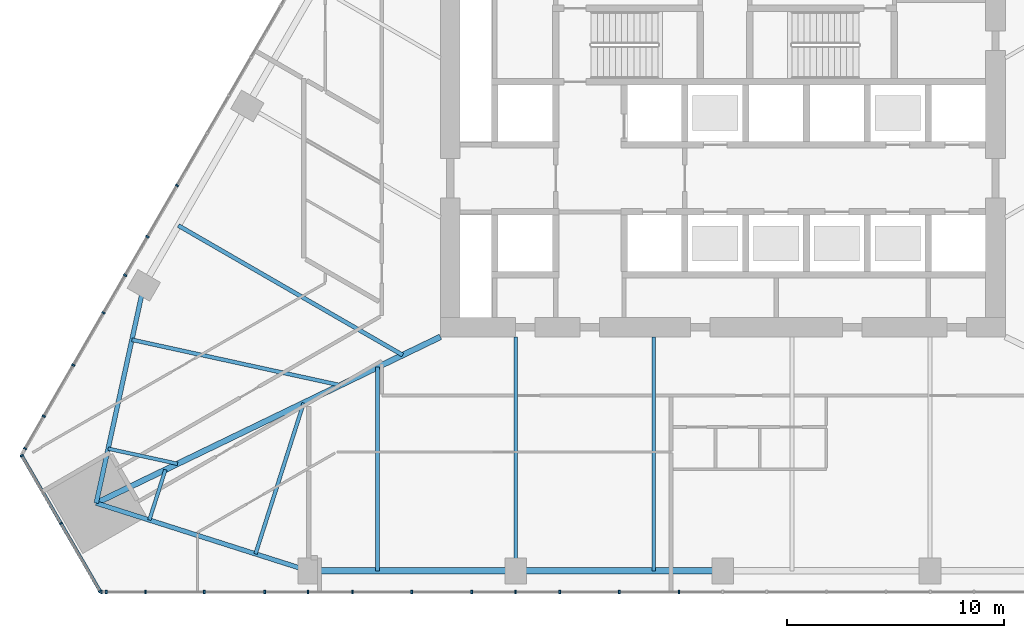
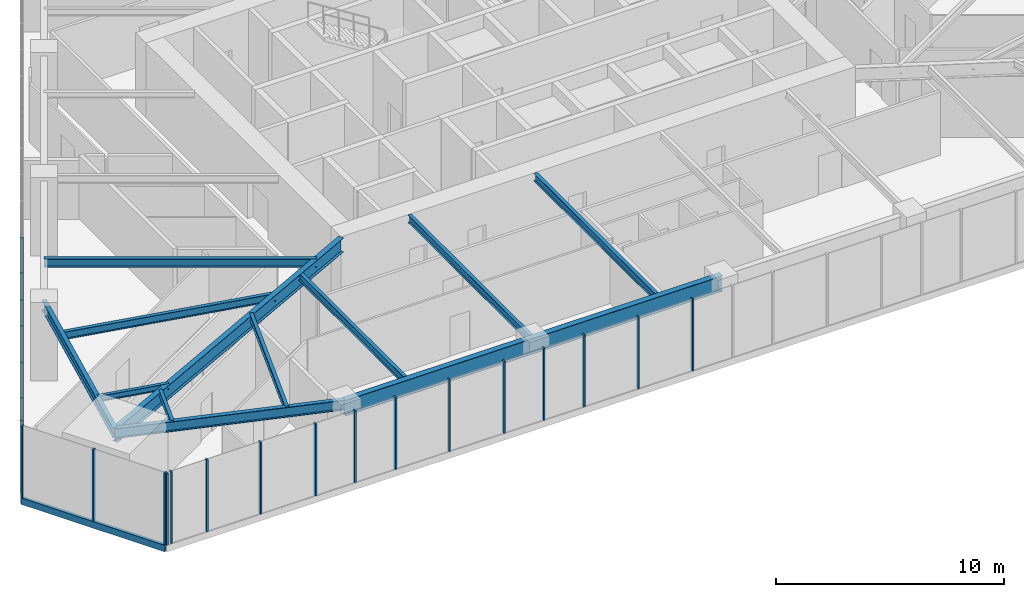
# One storey, part 2 of 25: 24 members, 12 beams, 3 elements without a shape of their own.
"""IFC4 building model written with IfcOpenShell, lengths in metres."""

from ifc_helpers import new_model, si_unit, direction, frame, origin, origin_2d, place, context, subcontext, project, spatial, rectangle, i_section, extrude, material, layer, layer_set, material_profile, profile_set, type_object, element, aggregate, save


model = new_model("IFC4")

# Units and contexts
model_context = context("Model", 3, precision=1e-05, world=origin(), true_north=direction((0.0, 1.0)))
body_context = subcontext(model_context, "Body", "Model", "MODEL_VIEW")
ifc_project = project(units=[si_unit("LENGTHUNIT", "METRE"), si_unit("AREAUNIT", "SQUARE_METRE"), si_unit("VOLUMEUNIT", "CUBIC_METRE"), si_unit("PLANEANGLEUNIT", "RADIAN"), si_unit("MASSUNIT", "GRAM", prefix="KILO")], contexts=[model_context])

# Site, building, storey
site_placement = place(None, origin())
site = spatial("IfcSite", under=ifc_project, at=site_placement, CompositionType="ELEMENT")
building_placement = place(site_placement, origin())
building = spatial("IfcBuilding", under=site, at=building_placement, Name="Firuza Gate Tower and Library", CompositionType="ELEMENT")
storey_placement = place(building_placement, frame((0.0, 0.0, 61.0)))
storey = spatial("IfcBuildingStorey", under=building, at=storey_placement, Name="L13", CompositionType="ELEMENT", Elevation=61.0)

# Curtain wall, members
ifc_material_1 = material(Name="Aluminium 6063-T6", Category="aluminium")
ifc_layer_1 = layer(ifc_material_1, 0.14990234375)
ifc_layer_set_1 = layer_set([ifc_layer_1], Name="Unitised curtain wall, offices")
curtain_wall_type_1 = type_object("IfcCurtainWallType", Name="Unitised curtain wall, offices", PredefinedType="NOTDEFINED", material=ifc_layer_set_1)
placement = place(storey_placement, origin())
curtain_wall_1 = element("IfcCurtainWall", 1, at=placement, inside=storey, type_object=curtain_wall_type_1, Name="CW1 L13 S face", PredefinedType="NOTDEFINED")
ifc_material_2 = material(Name="Aluminium 6063-T6", Category="aluminium")
ifc_material_profile_1 = material_profile(ifc_material_2, rectangle(XDim=0.14990234375, YDim=0.080078125, at=origin_2d()))
ifc_profile_set_1 = profile_set([ifc_material_profile_1], Name="Aluminium 6063-T6")
member_type_1 = type_object("IfcMemberType", Name="Curtain wall mullion 80x150", PredefinedType="MULLION", material=ifc_profile_set_1)
member_1_placement = place(storey_placement, frame((46.393310546875, 54.25390625, 0.14990234375), z_axis=(0.0, 0.0, 1.0), x_axis=(0.0, 1.0, 0.0)))
member_1 = element("IfcMember", 2, at=member_1_placement, type_object=member_type_1, Name="Mullion", PredefinedType="MULLION", context=body_context, shape_type="SweptSolid", body=[
    extrude(rectangle(XDim=0.14990234375, YDim=0.080078125, at=origin_2d()), origin(), (0.0, 0.0, 1.0), 3.85009765625),
])
member_2_placement = place(storey_placement, frame((51.127685546875, 54.25390625, 0.14990234375), z_axis=(0.0, 0.0, 1.0), x_axis=(0.0, 1.0, 0.0)))
member_2 = element("IfcMember", 3, at=member_2_placement, type_object=member_type_1, Name="Mullion", PredefinedType="MULLION", context=body_context, shape_type="SweptSolid", body=[
    extrude(rectangle(XDim=0.14990234375, YDim=0.080078125, at=origin_2d()), origin(), (0.0, 0.0, 1.0), 3.85009765625),
])
member_3_placement = place(storey_placement, frame((55.902099609375, 54.25390625, 0.14990234375), z_axis=(0.0, 0.0, 1.0), x_axis=(0.0, 1.0, 0.0)))
member_3 = element("IfcMember", 4, at=member_3_placement, type_object=member_type_1, Name="Mullion", PredefinedType="MULLION", context=body_context, shape_type="SweptSolid", body=[
    extrude(rectangle(XDim=0.14990234375, YDim=0.080078125, at=origin_2d()), origin(), (0.0, 0.0, 1.0), 3.85009765625),
])
member_4_placement = place(storey_placement, frame((60.6767578125, 54.25390625, 0.14990234375), z_axis=(0.0, 0.0, 1.0), x_axis=(0.0, 1.0, 0.0)))
member_4 = element("IfcMember", 5, at=member_4_placement, type_object=member_type_1, Name="Mullion", PredefinedType="MULLION", context=body_context, shape_type="SweptSolid", body=[
    extrude(rectangle(XDim=0.14990234375, YDim=0.080078125, at=origin_2d()), origin(), (0.0, 0.0, 1.0), 3.85009765625),
])
member_5_placement = place(storey_placement, frame((65.451171875, 54.25390625, 0.14990234375), z_axis=(0.0, 0.0, 1.0), x_axis=(0.0, 1.0, 0.0)))
member_5 = element("IfcMember", 6, at=member_5_placement, type_object=member_type_1, Name="Mullion", PredefinedType="MULLION", context=body_context, shape_type="SweptSolid", body=[
    extrude(rectangle(XDim=0.14990234375, YDim=0.080078125, at=origin_2d()), origin(), (0.0, 0.0, 1.0), 3.85009765625),
])
member_6_placement = place(storey_placement, frame((70.2255859375, 54.25390625, 0.14990234375), z_axis=(0.0, 0.0, 1.0), x_axis=(0.0, 1.0, 0.0)))
member_6 = element("IfcMember", 7, at=member_6_placement, type_object=member_type_1, Name="Mullion", PredefinedType="MULLION", context=body_context, shape_type="SweptSolid", body=[
    extrude(rectangle(XDim=0.14990234375, YDim=0.080078125, at=origin_2d()), origin(), (0.0, 0.0, 1.0), 3.85009765625),
])
member_7_placement = place(storey_placement, frame((46.619384765625, 54.25390625, 0.14990234375), z_axis=(0.0, 0.0, 1.0), x_axis=(0.0, 1.0, 0.0)))
member_7 = element("IfcMember", 8, at=member_7_placement, type_object=member_type_1, Name="Mullion", PredefinedType="MULLION", context=body_context, shape_type="SweptSolid", body=[
    extrude(rectangle(XDim=0.14990234375, YDim=0.080078125, at=origin_2d()), origin(), (0.0, 0.0, 1.0), 3.85009765625),
])
member_8_placement = place(storey_placement, frame((48.41796875, 54.25390625, 0.14990234375), z_axis=(0.0, 0.0, 1.0), x_axis=(0.0, 1.0, 0.0)))
member_8 = element("IfcMember", 9, at=member_8_placement, type_object=member_type_1, Name="Mullion", PredefinedType="MULLION", context=body_context, shape_type="SweptSolid", body=[
    extrude(rectangle(XDim=0.14990234375, YDim=0.080078125, at=origin_2d()), origin(), (0.0, 0.0, 1.0), 3.85009765625),
])
member_9_placement = place(storey_placement, frame((53.90966796875, 54.25390625, 0.14990234375), z_axis=(0.0, 0.0, 1.0), x_axis=(0.0, 1.0, 0.0)))
member_9 = element("IfcMember", 10, at=member_9_placement, type_object=member_type_1, Name="Mullion", PredefinedType="MULLION", context=body_context, shape_type="SweptSolid", body=[
    extrude(rectangle(XDim=0.14990234375, YDim=0.080078125, at=origin_2d()), origin(), (0.0, 0.0, 1.0), 3.85009765625),
])
member_10_placement = place(storey_placement, frame((57.952392578125, 54.25390625, 0.14990234375), z_axis=(0.0, 0.0, 1.0), x_axis=(0.0, 1.0, 0.0)))
member_10 = element("IfcMember", 11, at=member_10_placement, type_object=member_type_1, Name="Mullion", PredefinedType="MULLION", context=body_context, shape_type="SweptSolid", body=[
    extrude(rectangle(XDim=0.14990234375, YDim=0.080078125, at=origin_2d()), origin(), (0.0, 0.0, 1.0), 3.85009765625),
])
member_11_placement = place(storey_placement, frame((63.4443359375, 54.25390625, 0.14990234375), z_axis=(0.0, 0.0, 1.0), x_axis=(0.0, 1.0, 0.0)))
member_11 = element("IfcMember", 12, at=member_11_placement, type_object=member_type_1, Name="Mullion", PredefinedType="MULLION", context=body_context, shape_type="SweptSolid", body=[
    extrude(rectangle(XDim=0.14990234375, YDim=0.080078125, at=origin_2d()), origin(), (0.0, 0.0, 1.0), 3.85009765625),
])
member_12_placement = place(storey_placement, frame((67.48681640625, 54.25390625, 0.14990234375), z_axis=(0.0, 0.0, 1.0), x_axis=(0.0, 1.0, 0.0)))
member_12 = element("IfcMember", 13, at=member_12_placement, type_object=member_type_1, Name="Mullion", PredefinedType="MULLION", context=body_context, shape_type="SweptSolid", body=[
    extrude(rectangle(XDim=0.14990234375, YDim=0.080078125, at=origin_2d()), origin(), (0.0, 0.0, 1.0), 3.85009765625),
])
member_13_placement = place(storey_placement, frame((72.978759765625, 54.25390625, 0.14990234375), z_axis=(0.0, 0.0, 1.0), x_axis=(0.0, 1.0, 0.0)))
member_13 = element("IfcMember", 14, at=member_13_placement, type_object=member_type_1, Name="Mullion", PredefinedType="MULLION", context=body_context, shape_type="SweptSolid", body=[
    extrude(rectangle(XDim=0.14990234375, YDim=0.080078125, at=origin_2d()), origin(), (0.0, 0.0, 1.0), 3.85009765625),
])
aggregate(curtain_wall_1, [member_1, member_2, member_3, member_4, member_5, member_6, member_7, member_8, member_9, member_10, member_11, member_12, member_13])

curtain_wall_2 = element("IfcCurtainWall", 15, at=placement, inside=storey, type_object=curtain_wall_type_1, Name="CW1 L13 W face", PredefinedType="NOTDEFINED")
member_14_placement = place(storey_placement, frame((49.87158203125, 72.96875, 0.14990234375), z_axis=(0.0, 0.0, 1.0), x_axis=(0.866025403784, -0.5, 0.0)))
member_14 = element("IfcMember", 16, at=member_14_placement, type_object=member_type_1, Name="Mullion", PredefinedType="MULLION", context=body_context, shape_type="SweptSolid", body=[
    extrude(rectangle(XDim=0.14990234375, YDim=0.080078125, at=origin_2d()), origin(), (0.0, 0.0, 1.0), 3.85009765625),
])
member_15_placement = place(storey_placement, frame((47.484375, 68.833984375, 0.14990234375), z_axis=(0.0, 0.0, 1.0), x_axis=(0.866025403784, -0.5, 0.0)))
member_15 = element("IfcMember", 17, at=member_15_placement, type_object=member_type_1, Name="Mullion", PredefinedType="MULLION", context=body_context, shape_type="SweptSolid", body=[
    extrude(rectangle(XDim=0.14990234375, YDim=0.080078125, at=origin_2d()), origin(), (0.0, 0.0, 1.0), 3.85009765625),
])
member_16_placement = place(storey_placement, frame((45.09716796875, 64.698974609375, 0.14990234375), z_axis=(0.0, 0.0, 1.0), x_axis=(0.866025403784, -0.5, 0.0)))
member_16 = element("IfcMember", 18, at=member_16_placement, type_object=member_type_1, Name="Mullion", PredefinedType="MULLION", context=body_context, shape_type="SweptSolid", body=[
    extrude(rectangle(XDim=0.14990234375, YDim=0.080078125, at=origin_2d()), origin(), (0.0, 0.0, 1.0), 3.85009765625),
])
member_17_placement = place(storey_placement, frame((48.509521484375, 70.609375, 0.14990234375), z_axis=(0.0, 0.0, 1.0), x_axis=(0.866025403784, -0.5, 0.0)))
member_17 = element("IfcMember", 19, at=member_17_placement, type_object=member_type_1, Name="Mullion", PredefinedType="MULLION", context=body_context, shape_type="SweptSolid", body=[
    extrude(rectangle(XDim=0.14990234375, YDim=0.080078125, at=origin_2d()), origin(), (0.0, 0.0, 1.0), 3.85009765625),
])
member_18_placement = place(storey_placement, frame((46.48828125, 67.1083984375, 0.14990234375), z_axis=(0.0, 0.0, 1.0), x_axis=(0.866025403784, -0.5, 0.0)))
member_18 = element("IfcMember", 20, at=member_18_placement, type_object=member_type_1, Name="Mullion", PredefinedType="MULLION", context=body_context, shape_type="SweptSolid", body=[
    extrude(rectangle(XDim=0.14990234375, YDim=0.080078125, at=origin_2d()), origin(), (0.0, 0.0, 1.0), 3.85009765625),
])
member_19_placement = place(storey_placement, frame((43.742431640625, 62.352294921875, 0.14990234375), z_axis=(0.0, 0.0, 1.0), x_axis=(0.866025403784, -0.5, 0.0)))
member_19 = element("IfcMember", 21, at=member_19_placement, type_object=member_type_1, Name="Mullion", PredefinedType="MULLION", context=body_context, shape_type="SweptSolid", body=[
    extrude(rectangle(XDim=0.14990234375, YDim=0.080078125, at=origin_2d()), origin(), (0.0, 0.0, 1.0), 3.85009765625),
])
member_20_placement = place(storey_placement, frame((42.875732421875, 60.85107421875, 0.14990234375), z_axis=(0.0, 0.0, 1.0), x_axis=(0.866025403784, -0.5, 0.0)))
member_20 = element("IfcMember", 22, at=member_20_placement, type_object=member_type_1, Name="Mullion", PredefinedType="MULLION", context=body_context, shape_type="SweptSolid", body=[
    extrude(rectangle(XDim=0.14990234375, YDim=0.080078125, at=origin_2d()), origin(), (0.0, 0.0, 1.0), 3.85009765625),
])
aggregate(curtain_wall_2, [member_14, member_15, member_16, member_17, member_18, member_19, member_20])

ifc_material_3 = material(Name="Aluminium 6063-T6", Category="aluminium")
ifc_layer_2 = layer(ifc_material_3, 0.14990234375)
ifc_layer_set_2 = layer_set([ifc_layer_2], Name="Corner curtain wall, chamfers")
curtain_wall_type_2 = type_object("IfcCurtainWallType", Name="Corner curtain wall, chamfers", PredefinedType="NOTDEFINED", material=ifc_layer_set_2)
curtain_wall_3 = element("IfcCurtainWall", 23, at=placement, inside=storey, type_object=curtain_wall_type_2, Name="CW4 L13 SW corner", PredefinedType="NOTDEFINED")
member_21_placement = place(storey_placement, frame((42.72998046875, 60.529541015625, 0.14990234375), z_axis=(0.0, 0.0, 1.0), x_axis=(0.866025403784, 0.5, 0.0)))
member_21 = element("IfcMember", 24, at=member_21_placement, type_object=member_type_1, Name="Mullion", PredefinedType="MULLION", context=body_context, shape_type="SweptSolid", body=[
    extrude(rectangle(XDim=0.14990234375, YDim=0.080078125, at=origin_2d()), origin(), (0.0, 0.0, 1.0), 3.85009765625),
])
member_22_placement = place(storey_placement, frame((44.53173828125, 57.4091796875, 0.14990234375), z_axis=(0.0, 0.0, 1.0), x_axis=(0.866025403784, 0.5, 0.0)))
member_22 = element("IfcMember", 25, at=member_22_placement, type_object=member_type_1, Name="Mullion", PredefinedType="MULLION", context=body_context, shape_type="SweptSolid", body=[
    extrude(rectangle(XDim=0.14990234375, YDim=0.080078125, at=origin_2d()), origin(), (0.0, 0.0, 1.0), 3.85009765625),
])
member_23_placement = place(storey_placement, frame((46.333251953125, 54.28857421875, 0.14990234375), z_axis=(0.0, 0.0, 1.0), x_axis=(0.866025403784, 0.5, 0.0)))
member_23 = element("IfcMember", 26, at=member_23_placement, type_object=member_type_1, Name="Mullion", PredefinedType="MULLION", context=body_context, shape_type="SweptSolid", body=[
    extrude(rectangle(XDim=0.14990234375, YDim=0.080078125, at=origin_2d()), origin(), (0.0, 0.0, 1.0), 3.85009765625),
])
ifc_material_4 = material(Name="Aluminium 6063-T6", Category="aluminium")
ifc_material_profile_2 = material_profile(ifc_material_4, rectangle(XDim=0.14990234375, YDim=0.35009765625, at=origin_2d()))
ifc_profile_set_2 = profile_set([ifc_material_profile_2], Name="Aluminium 6063-T6")
member_type_2 = type_object("IfcMemberType", Name="Curtain wall transom 350x150", PredefinedType="USERDEFINED", material=ifc_profile_set_2)
member_24_placement = place(storey_placement, frame((42.7099609375, 60.564208984375, -0.02490234375), z_axis=(0.500005719219, -0.866022101766, 0.0), x_axis=(0.866022101766, 0.500005719219, 0.0)))
member_24 = element("IfcMember", 27, at=member_24_placement, type_object=member_type_2, Name="Transom", ObjectType="TRANSOM", PredefinedType="USERDEFINED", context=body_context, shape_type="SweptSolid", body=[
    extrude(rectangle(XDim=0.14990234375, YDim=0.35009765625, at=origin_2d()), origin(), (0.0, 0.0, 1.0), 7.28662109375),
])
aggregate(curtain_wall_3, [member_21, member_22, member_23, member_24])

# Beams
ifc_material_5 = material(Name="Steel S355", Category="steel")
ifc_material_profile_3 = material_profile(ifc_material_5, i_section(OverallWidth=0.1650390625, OverallDepth=0.31005859375, WebThickness=0.005859375, FlangeThickness=0.009765625, at=origin_2d()))
ifc_profile_set_3 = profile_set([ifc_material_profile_3], Name="Steel S355")
beam_type_1 = type_object("IfcBeamType", Name="W310x39 Floor beam", PredefinedType="JOIST", material=ifc_profile_set_3)
beam_1_placement = place(storey_placement, frame((46.702392578125, 60.852783203125, 3.844970703125), z_axis=(0.977001633278, -0.213231818855, 0.0), x_axis=(0.213231818855, 0.977001633278, 0.0)))
element("IfcBeam", 28, at=beam_1_placement, inside=storey, type_object=beam_type_1, Name="Floor beam L13 s01", PredefinedType="JOIST", context=body_context, shape_type="SweptSolid", body=[
    extrude(i_section(OverallWidth=0.1650390625, OverallDepth=0.31005859375, WebThickness=0.005859375, FlangeThickness=0.009765625, at=origin_2d()), origin(), (0.0, 0.0, 1.0), 3.272216796875),
])
beam_2_placement = place(storey_placement, frame((48.599365234375, 57.567138671875, 3.844970703125), z_axis=(0.303883149111, 0.952709311221, 0.0), x_axis=(-0.952709311221, 0.303883149111, 0.0)))
element("IfcBeam", 29, at=beam_2_placement, inside=storey, type_object=beam_type_1, Name="Floor beam L13 s10", PredefinedType="JOIST", context=body_context, shape_type="SweptSolid", body=[
    extrude(i_section(OverallWidth=0.1650390625, OverallDepth=0.31005859375, WebThickness=0.005859375, FlangeThickness=0.009765625, at=origin_2d()), origin(), (0.0, 0.0, 1.0), 2.431884765625),
])
ifc_material_6 = material(Name="Steel S355", Category="steel")
ifc_material_profile_4 = material_profile(ifc_material_6, i_section(OverallWidth=0.1708984375, OverallDepth=0.35498046875, WebThickness=0.007080078125, FlangeThickness=0.01171875, at=origin_2d()))
ifc_profile_set_4 = profile_set([ifc_material_profile_4], Name="Steel S355")
beam_type_2 = type_object("IfcBeamType", Name="W360x51 Floor beam", PredefinedType="JOIST", material=ifc_profile_set_4)
beam_3_placement = place(storey_placement, frame((53.4873046875, 56.00830078125, 3.822509765625), z_axis=(0.303832087289, 0.952725596766, 0.0), x_axis=(-0.952725596766, 0.303832087289, 0.0)))
element("IfcBeam", 30, at=beam_3_placement, inside=storey, type_object=beam_type_2, Name="Floor beam L13 s11", PredefinedType="JOIST", context=body_context, shape_type="SweptSolid", body=[
    extrude(i_section(OverallWidth=0.1708984375, OverallDepth=0.35498046875, WebThickness=0.007080078125, FlangeThickness=0.01171875, at=origin_2d()), origin(), (0.0, 0.0, 1.0), 7.29541015625),
])
ifc_material_7 = material(Name="Steel S355", Category="steel")
ifc_material_profile_5 = material_profile(ifc_material_7, i_section(OverallWidth=0.177978515625, OverallDepth=0.406982421875, WebThickness=0.0078125, FlangeThickness=0.0126953125, at=origin_2d()))
ifc_profile_set_5 = profile_set([ifc_material_profile_5], Name="Steel S355")
beam_type_3 = type_object("IfcBeamType", Name="W410x60 Floor beam", PredefinedType="JOIST", material=ifc_profile_set_5)
beam_4_placement = place(storey_placement, frame((47.79638671875, 65.865234375, 3.79638671875), z_axis=(0.977001633278, -0.213231818855, 0.0), x_axis=(0.213231818855, 0.977001633278, 0.0)))
element("IfcBeam", 31, at=beam_4_placement, inside=storey, type_object=beam_type_3, Name="Floor beam L13 s00", PredefinedType="JOIST", context=body_context, shape_type="SweptSolid", body=[
    extrude(i_section(OverallWidth=0.177978515625, OverallDepth=0.406982421875, WebThickness=0.0078125, FlangeThickness=0.0126953125, at=origin_2d()), origin(), (0.0, 0.0, 1.0), 9.81689453125),
])
beam_5_placement = place(storey_placement, frame((59.109130859375, 55.22900390625, 3.79638671875), z_axis=(0.0, 1.0, 0.0), x_axis=(-1.0, 0.0, 0.0)))
element("IfcBeam", 32, at=beam_5_placement, inside=storey, type_object=beam_type_3, Name="Floor beam L13 s20", PredefinedType="JOIST", context=body_context, shape_type="SweptSolid", body=[
    extrude(i_section(OverallWidth=0.177978515625, OverallDepth=0.406982421875, WebThickness=0.0078125, FlangeThickness=0.0126953125, at=origin_2d()), origin(), (0.0, 0.0, 1.0), 9.374755859375),
])
for number, where, z_axis, x_axis, name in (
    (33, (65.465576171875, 55.22900390625, 3.79638671875), (0.0, 1.0, 0.0), (-1.0, 0.0, 0.0), "Floor beam L13 s21"),
    (34, (71.82177734375, 55.22900390625, 3.79638671875), (0.0, 1.0, 0.0), (-1.0, 0.0, 0.0), "Floor beam L13 s22"),
):
    element("IfcBeam", number, at=place(storey_placement, frame(where, z_axis=z_axis, x_axis=x_axis)), inside=storey, type_object=beam_type_3, Name=name, PredefinedType="JOIST", context=body_context, shape_type="SweptSolid", body=[
        extrude(i_section(OverallWidth=0.177978515625, OverallDepth=0.406982421875, WebThickness=0.0078125, FlangeThickness=0.0126953125, at=origin_2d()), origin(), (0.0, 0.0, 1.0), 10.77099609375),
    ])
ifc_material_8 = material(Name="Steel S355", Category="steel")
ifc_material_profile_6 = material_profile(ifc_material_8, i_section(OverallWidth=0.18994140625, OverallDepth=0.45703125, WebThickness=0.009033203125, FlangeThickness=0.014404296875, at=origin_2d()))
ifc_profile_set_6 = profile_set([ifc_material_profile_6], Name="Steel S355")
beam_type_4 = type_object("IfcBeamType", Name="W460x74 Floor beam", PredefinedType="JOIST", material=ifc_profile_set_6)
beam_6_placement = place(storey_placement, frame((49.932373046875, 71.123779296875, 3.771484375), z_axis=(0.866021283888, -0.500007135802, 0.0), x_axis=(0.500007135802, 0.866021283888, 0.0)))
element("IfcBeam", 35, at=beam_6_placement, inside=storey, type_object=beam_type_4, Name="Floor beam L13 s85", PredefinedType="JOIST", context=body_context, shape_type="SweptSolid", body=[
    extrude(i_section(OverallWidth=0.18994140625, OverallDepth=0.45703125, WebThickness=0.009033203125, FlangeThickness=0.014404296875, at=origin_2d()), origin(), (0.0, 0.0, 1.0), 11.927001953125),
])
ifc_material_9 = material(Name="Steel S355", Category="steel")
ifc_material_profile_7 = material_profile(ifc_material_9, i_section(OverallWidth=0.212890625, OverallDepth=0.5390625, WebThickness=0.01171875, FlangeThickness=0.018798828125, at=origin_2d()))
ifc_profile_set_7 = profile_set([ifc_material_profile_7], Name="Steel S355")
beam_type_5 = type_object("IfcBeamType", Name="W530x109 Edge beam", PredefinedType="SPANDREL", material=ifc_profile_set_7)
beam_7_placement = place(storey_placement, frame((48.34326171875, 68.371337890625, 3.73046875), z_axis=(-0.21321786896, -0.977004677756, 0.0), x_axis=(0.977004677756, -0.21321786896, 0.0)))
element("IfcBeam", 36, at=beam_7_placement, inside=storey, type_object=beam_type_5, Name="Edge beam L13 e00", PredefinedType="SPANDREL", context=body_context, shape_type="SweptSolid", body=[
    extrude(i_section(OverallWidth=0.212890625, OverallDepth=0.5390625, WebThickness=0.01171875, FlangeThickness=0.018798828125, at=origin_2d()), origin(), (0.0, 0.0, 1.0), 10.260498046875),
])
beam_8_placement = place(storey_placement, frame((46.155517578125, 58.3466796875, 3.73046875), z_axis=(0.952721510235, -0.303844901119, 0.0), x_axis=(0.303844901119, 0.952721510235, 0.0)))
element("IfcBeam", 37, at=beam_8_placement, inside=storey, type_object=beam_type_5, Name="Edge beam L13 e10", PredefinedType="SPANDREL", context=body_context, shape_type="SweptSolid", body=[
    extrude(i_section(OverallWidth=0.212890625, OverallDepth=0.5390625, WebThickness=0.01171875, FlangeThickness=0.018798828125, at=origin_2d()), origin(), (0.0, 0.0, 1.0), 10.2607421875),
])
ifc_material_10 = material(Name="Steel S355", Category="steel")
ifc_material_profile_8 = material_profile(ifc_material_10, i_section(OverallWidth=0.264892578125, OverallDepth=0.7529296875, WebThickness=0.01318359375, FlangeThickness=0.01708984375, at=origin_2d()))
ifc_profile_set_8 = profile_set([ifc_material_profile_8], Name="Steel S355")
beam_type_6 = type_object("IfcBeamType", Name="W760x147 Girder", PredefinedType="BEAM", material=ifc_profile_set_8)
beam_9_placement = place(storey_placement, frame((46.155517578125, 58.3466796875, 3.62353515625), z_axis=(0.90045683322, 0.434945389109, 0.0), x_axis=(-0.434945389109, 0.90045683322, 0.0)))
element("IfcBeam", 38, at=beam_9_placement, inside=storey, type_object=beam_type_6, Name="Girder L13 gSW", PredefinedType="BEAM", context=body_context, shape_type="SweptSolid", body=[
    extrude(i_section(OverallWidth=0.264892578125, OverallDepth=0.7529296875, WebThickness=0.01318359375, FlangeThickness=0.01708984375, at=origin_2d()), origin(), (0.0, 0.0, 1.0), 17.595947265625),
])
ifc_material_11 = material(Name="Steel S355", Category="steel")
ifc_material_profile_9 = material_profile(ifc_material_11, i_section(OverallWidth=0.2919921875, OverallDepth=0.8349609375, WebThickness=0.013916015625, FlangeThickness=0.018798828125, at=origin_2d()))
ifc_profile_set_9 = profile_set([ifc_material_profile_9], Name="Steel S355")
beam_type_7 = type_object("IfcBeamType", Name="W840x176 Edge beam", PredefinedType="SPANDREL", material=ifc_profile_set_9)
beam_10_placement = place(storey_placement, frame((55.93115234375, 55.22900390625, 3.58251953125), z_axis=(1.0, 0.0, 0.0), x_axis=(0.0, 1.0, 0.0)))
element("IfcBeam", 39, at=beam_10_placement, inside=storey, type_object=beam_type_7, Name="Edge beam L13 e20", PredefinedType="SPANDREL", context=body_context, shape_type="SweptSolid", body=[
    extrude(i_section(OverallWidth=0.2919921875, OverallDepth=0.8349609375, WebThickness=0.013916015625, FlangeThickness=0.018798828125, at=origin_2d()), origin(), (0.0, 0.0, 1.0), 19.06884765625),
])

save(model, "model.ifc")
